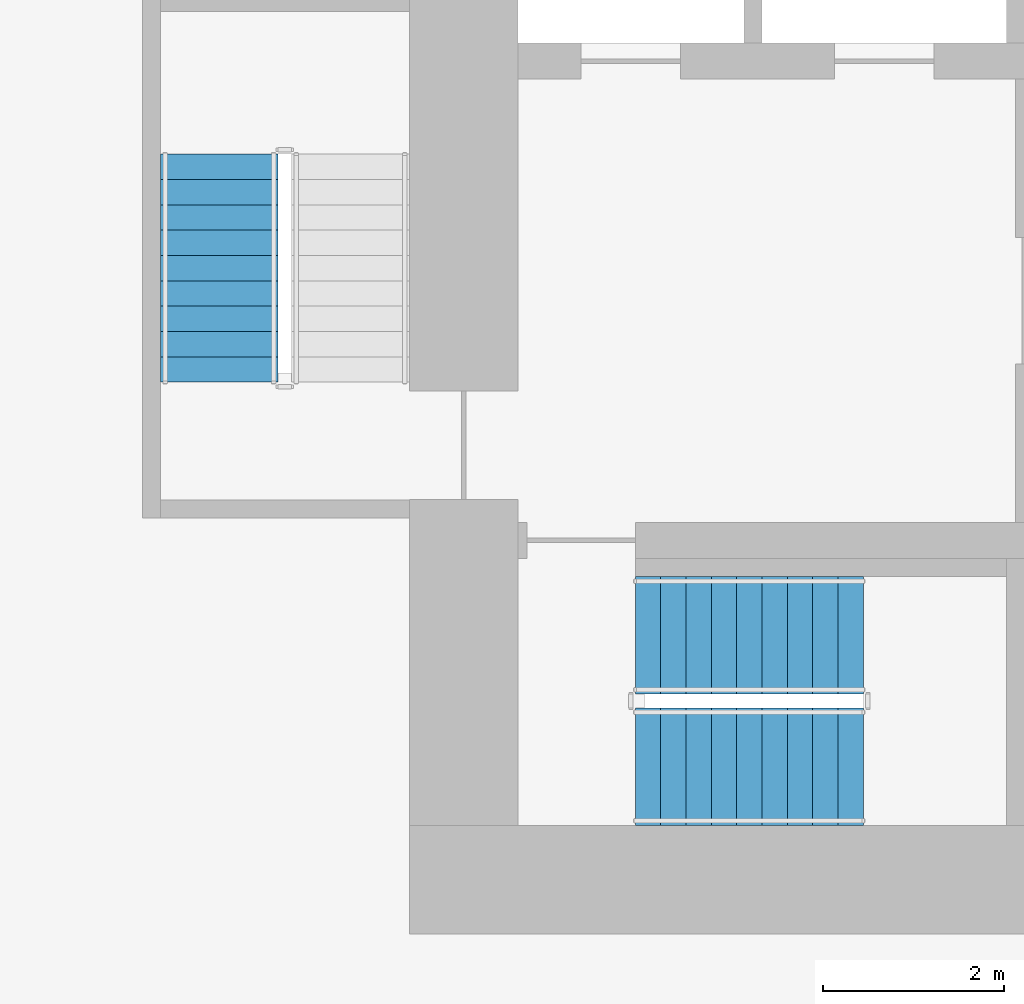
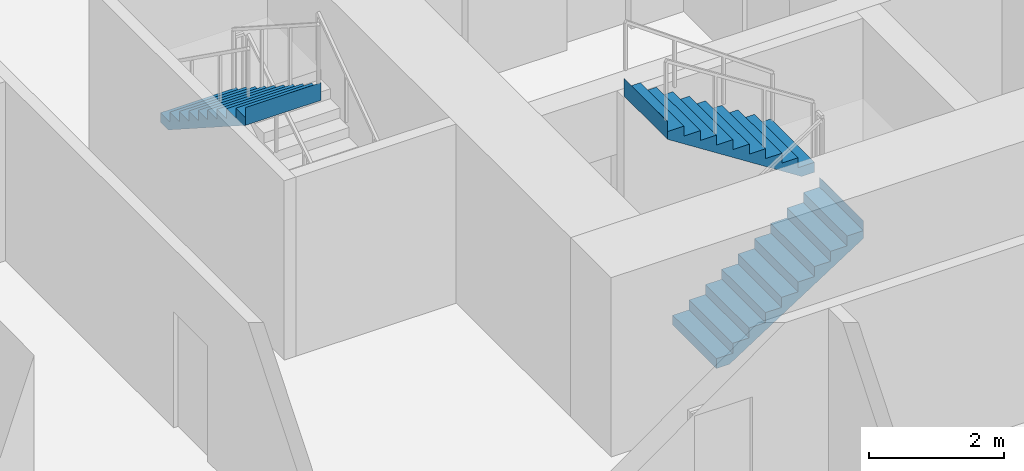
# One storey, part 18 of 25: 3 stair flights, 2 elements without a shape of their own.
"""IFC4 building model written with IfcOpenShell, lengths in metres."""

from ifc_helpers import new_model, si_unit, direction, frame, origin, place, context, subcontext, project, spatial, triangles, material, type_object, element, aggregate, save


model = new_model("IFC4")

# Units and contexts
model_context = context("Model", 3, precision=1e-05, world=origin(), true_north=direction((0.0, 1.0)))
body_context = subcontext(model_context, "Body", "Model", "MODEL_VIEW")
ifc_project = project(units=[si_unit("LENGTHUNIT", "METRE"), si_unit("AREAUNIT", "SQUARE_METRE"), si_unit("VOLUMEUNIT", "CUBIC_METRE"), si_unit("PLANEANGLEUNIT", "RADIAN"), si_unit("MASSUNIT", "GRAM", prefix="KILO")], contexts=[model_context])

# Site, building, storey
site_placement = place(None, origin())
site = spatial("IfcSite", under=ifc_project, at=site_placement, CompositionType="ELEMENT")
building_placement = place(site_placement, origin())
building = spatial("IfcBuilding", under=site, at=building_placement, Name="Beryl Residences", CompositionType="ELEMENT")
storey_placement = place(building_placement, frame((0.0, 0.0, 16.199951171875)))
storey = spatial("IfcBuildingStorey", under=building, at=storey_placement, Name="L04", CompositionType="ELEMENT", Elevation=16.199951171875)

# Stair, stair flights
ifc_material_1 = material(Name="Concrete C40/50", Category="concrete")
stair_type = type_object("IfcStairType", Name="ST1 protected exit stair, half-turn, 1300 mm flights", PredefinedType="HALF_TURN_STAIR", material=ifc_material_1)
stair_1_placement = place(storey_placement, origin())
stair_1 = element("IfcStair", 1, at=stair_1_placement, inside=storey, type_object=stair_type, Name="L04 PROTECTED EXIT STAIR ST-1", PredefinedType="HALF_TURN_STAIR")
ifc_material_2 = material(Name="Concrete C40/50", Category="concrete")
stair_flight_type = type_object("IfcStairFlightType", Name="SF1 stair flight 1300 mm", PredefinedType="STRAIGHT", material=ifc_material_2)
stair_flight_1_placement = place(storey_placement, frame((-10.800048828125, -17.14990234375, 0.0), z_axis=(0.0, 0.0, 1.0), x_axis=(1.0, 0.0, 0.0)))
stair_flight_1 = element("IfcStairFlight", 2, at=stair_flight_1_placement, type_object=stair_flight_type, Name="ST-1 flight 1", NumberOfRisers=10, NumberOfTreads=9, PredefinedType="STRAIGHT", RiserHeight=0.18, TreadLength=0.28, context=body_context, shape_type="Tessellation", body=[
    triangles([(0.0, -0.64990234375, 0.0), (0.0, -0.324951171875, 0.0), (0.0, 0.0, 0.0), (0.0, 0.324951171875, 0.0), (0.0, 0.64990234375, 0.0), (0.0, -0.64990234375, 0.179931640625), (0.0, -0.324951171875, 0.179931640625), (0.0, 0.0, 0.179931640625), (0.0, 0.324951171875, 0.179931640625), (0.0, 0.64990234375, 0.179931640625), (0.280029296875, -0.64990234375, 0.179931640625), (0.280029296875, -0.324951171875, 0.179931640625), (0.280029296875, 0.0, 0.179931640625), (0.280029296875, 0.324951171875, 0.179931640625), (0.280029296875, 0.64990234375, 0.179931640625), (0.280029296875, -0.64990234375, 0.360107421875), (0.280029296875, -0.324951171875, 0.360107421875), (0.280029296875, 0.0, 0.360107421875), (0.280029296875, 0.324951171875, 0.360107421875), (0.280029296875, 0.64990234375, 0.360107421875), (0.56005859375, -0.64990234375, 0.360107421875), (0.56005859375, -0.324951171875, 0.360107421875), (0.56005859375, 0.0, 0.360107421875), (0.56005859375, 0.324951171875, 0.360107421875), (0.56005859375, 0.64990234375, 0.360107421875), (0.56005859375, -0.64990234375, 0.5400390625), (0.56005859375, -0.324951171875, 0.5400390625), (0.56005859375, 0.0, 0.5400390625), (0.56005859375, 0.324951171875, 0.5400390625), (0.56005859375, 0.64990234375, 0.5400390625), (0.840087890625, -0.64990234375, 0.5400390625), (0.840087890625, -0.324951171875, 0.5400390625), (0.840087890625, 0.0, 0.5400390625), (0.840087890625, 0.324951171875, 0.5400390625), (0.840087890625, 0.64990234375, 0.5400390625), (0.840087890625, -0.64990234375, 0.719970703125), (0.840087890625, -0.324951171875, 0.719970703125), (0.840087890625, 0.0, 0.719970703125), (0.840087890625, 0.324951171875, 0.719970703125), (0.840087890625, 0.64990234375, 0.719970703125), (1.1201171875, -0.64990234375, 0.719970703125), (1.1201171875, -0.324951171875, 0.719970703125), (1.1201171875, 0.0, 0.719970703125), (1.1201171875, 0.324951171875, 0.719970703125), (1.1201171875, 0.64990234375, 0.719970703125), (1.1201171875, -0.64990234375, 0.89990234375), (1.1201171875, -0.324951171875, 0.89990234375), (1.1201171875, 0.0, 0.89990234375), (1.1201171875, 0.324951171875, 0.89990234375), (1.1201171875, 0.64990234375, 0.89990234375), (1.39990234375, -0.64990234375, 0.89990234375), (1.39990234375, -0.324951171875, 0.89990234375), (1.39990234375, 0.0, 0.89990234375), (1.39990234375, 0.324951171875, 0.89990234375), (1.39990234375, 0.64990234375, 0.89990234375), (1.39990234375, -0.64990234375, 1.080078125), (1.39990234375, -0.324951171875, 1.080078125), (1.39990234375, 0.0, 1.080078125), (1.39990234375, 0.324951171875, 1.080078125), (1.39990234375, 0.64990234375, 1.080078125), (1.679931640625, -0.64990234375, 1.080078125), (1.679931640625, -0.324951171875, 1.080078125), (1.679931640625, 0.0, 1.080078125), (1.679931640625, 0.324951171875, 1.080078125), (1.679931640625, 0.64990234375, 1.080078125), (1.679931640625, -0.64990234375, 1.260009765625), (1.679931640625, -0.324951171875, 1.260009765625), (1.679931640625, 0.0, 1.260009765625), (1.679931640625, 0.324951171875, 1.260009765625), (1.679931640625, 0.64990234375, 1.260009765625), (1.9599609375, -0.64990234375, 1.260009765625), (1.9599609375, -0.324951171875, 1.260009765625), (1.9599609375, 0.0, 1.260009765625), (1.9599609375, 0.324951171875, 1.260009765625), (1.9599609375, 0.64990234375, 1.260009765625), (1.9599609375, -0.64990234375, 1.43994140625), (1.9599609375, -0.324951171875, 1.43994140625), (1.9599609375, 0.0, 1.43994140625), (1.9599609375, 0.324951171875, 1.43994140625), (1.9599609375, 0.64990234375, 1.43994140625), (2.239990234375, -0.64990234375, 1.43994140625), (2.239990234375, -0.324951171875, 1.43994140625), (2.239990234375, 0.0, 1.43994140625), (2.239990234375, 0.324951171875, 1.43994140625), (2.239990234375, 0.64990234375, 1.43994140625), (2.239990234375, -0.64990234375, 1.6201171875), (2.239990234375, -0.324951171875, 1.6201171875), (2.239990234375, 0.0, 1.6201171875), (2.239990234375, 0.324951171875, 1.6201171875), (2.239990234375, 0.64990234375, 1.6201171875), (2.52001953125, -0.64990234375, 1.6201171875), (2.52001953125, -0.324951171875, 1.6201171875), (2.52001953125, 0.0, 1.6201171875), (2.52001953125, 0.324951171875, 1.6201171875), (2.52001953125, 0.64990234375, 1.6201171875), (2.52001953125, -0.64990234375, 1.800048828125), (2.52001953125, -0.324951171875, 1.800048828125), (2.52001953125, 0.0, 1.800048828125), (2.52001953125, 0.324951171875, 1.800048828125), (2.52001953125, 0.64990234375, 1.800048828125), (2.52099609375, -0.64990234375, 1.800048828125), (2.52099609375, -0.324951171875, 1.800048828125), (2.52099609375, 0.0, 1.800048828125), (2.52099609375, 0.324951171875, 1.800048828125), (2.52099609375, 0.64990234375, 1.800048828125), (2.52099609375, -0.64990234375, 1.477294921875), (2.52099609375, -0.324951171875, 1.477294921875), (2.52099609375, 0.0, 1.477294921875), (2.52099609375, 0.324951171875, 1.477294921875), (2.52099609375, 0.64990234375, 1.477294921875), (0.22314453125, -0.64990234375, 0.0), (0.22314453125, -0.324951171875, 0.0), (0.22314453125, 0.0, 0.0), (0.22314453125, 0.324951171875, 0.0), (0.22314453125, 0.64990234375, 0.0)], [[1, 6, 7], [1, 7, 2], [2, 7, 8], [2, 8, 3], [3, 8, 9], [3, 9, 4], [4, 9, 10], [4, 10, 5], [6, 11, 12], [6, 12, 7], [7, 12, 13], [7, 13, 8], [8, 13, 14], [8, 14, 9], [9, 14, 15], [9, 15, 10], [11, 16, 17], [11, 17, 12], [12, 17, 18], [12, 18, 13], [13, 18, 19], [13, 19, 14], [14, 19, 20], [14, 20, 15], [16, 21, 22], [16, 22, 17], [17, 22, 23], [17, 23, 18], [18, 23, 24], [18, 24, 19], [19, 24, 25], [19, 25, 20], [21, 26, 27], [21, 27, 22], [22, 27, 28], [22, 28, 23], [23, 28, 29], [23, 29, 24], [24, 29, 30], [24, 30, 25], [26, 31, 32], [26, 32, 27], [27, 32, 33], [27, 33, 28], [28, 33, 34], [28, 34, 29], [29, 34, 35], [29, 35, 30], [31, 36, 37], [31, 37, 32], [32, 37, 38], [32, 38, 33], [33, 38, 39], [33, 39, 34], [34, 39, 40], [34, 40, 35], [36, 41, 42], [36, 42, 37], [37, 42, 43], [37, 43, 38], [38, 43, 44], [38, 44, 39], [39, 44, 45], [39, 45, 40], [41, 46, 47], [41, 47, 42], [42, 47, 48], [42, 48, 43], [43, 48, 49], [43, 49, 44], [44, 49, 50], [44, 50, 45], [46, 51, 52], [46, 52, 47], [47, 52, 53], [47, 53, 48], [48, 53, 54], [48, 54, 49], [49, 54, 55], [49, 55, 50], [51, 56, 57], [51, 57, 52], [52, 57, 58], [52, 58, 53], [53, 58, 59], [53, 59, 54], [54, 59, 60], [54, 60, 55], [56, 61, 62], [56, 62, 57], [57, 62, 63], [57, 63, 58], [58, 63, 64], [58, 64, 59], [59, 64, 65], [59, 65, 60], [61, 66, 67], [61, 67, 62], [62, 67, 68], [62, 68, 63], [63, 68, 69], [63, 69, 64], [64, 69, 70], [64, 70, 65], [66, 71, 72], [66, 72, 67], [67, 72, 73], [67, 73, 68], [68, 73, 74], [68, 74, 69], [69, 74, 75], [69, 75, 70], [71, 76, 77], [71, 77, 72], [72, 77, 78], [72, 78, 73], [73, 78, 79], [73, 79, 74], [74, 79, 80], [74, 80, 75], [76, 81, 82], [76, 82, 77], [77, 82, 83], [77, 83, 78], [78, 83, 84], [78, 84, 79], [79, 84, 85], [79, 85, 80], [81, 86, 87], [81, 87, 82], [82, 87, 88], [82, 88, 83], [83, 88, 89], [83, 89, 84], [84, 89, 90], [84, 90, 85], [86, 91, 92], [86, 92, 87], [87, 92, 93], [87, 93, 88], [88, 93, 94], [88, 94, 89], [89, 94, 95], [89, 95, 90], [91, 96, 97], [91, 97, 92], [92, 97, 98], [92, 98, 93], [93, 98, 99], [93, 99, 94], [94, 99, 100], [94, 100, 95], [96, 101, 102], [96, 102, 97], [97, 102, 103], [97, 103, 98], [98, 103, 104], [98, 104, 99], [99, 104, 105], [99, 105, 100], [101, 106, 107], [101, 107, 102], [102, 107, 108], [102, 108, 103], [103, 108, 109], [103, 109, 104], [104, 109, 110], [104, 110, 105], [106, 111, 112], [106, 112, 107], [107, 112, 113], [107, 113, 108], [108, 113, 114], [108, 114, 109], [109, 114, 115], [109, 115, 110], [111, 1, 2], [111, 2, 112], [112, 2, 3], [112, 3, 113], [113, 3, 4], [113, 4, 114], [114, 4, 5], [114, 5, 115], [1, 111, 106], [5, 110, 115], [106, 101, 96], [110, 100, 105], [106, 96, 91], [110, 95, 100], [106, 91, 86], [110, 90, 95], [106, 86, 81], [110, 85, 90], [81, 76, 71], [85, 75, 80], [106, 81, 71], [110, 75, 85], [71, 66, 61], [75, 65, 70], [106, 71, 61], [110, 65, 75], [61, 56, 51], [65, 55, 60], [106, 61, 51], [110, 55, 65], [51, 46, 41], [55, 45, 50], [106, 51, 41], [110, 45, 55], [41, 36, 31], [45, 35, 40], [106, 41, 31], [110, 35, 45], [31, 26, 21], [35, 25, 30], [106, 31, 21], [110, 25, 35], [21, 16, 11], [25, 15, 20], [106, 21, 11], [110, 15, 25], [1, 106, 11], [5, 15, 110], [11, 6, 1], [15, 5, 10]], closed=True),
])
stair_flight_2_placement = place(storey_placement, frame((-8.280029296875, -15.699951171875, 1.800048828125), z_axis=(0.0, 0.0, 1.0), x_axis=(-1.0, 0.0, 0.0)))
stair_flight_2 = element("IfcStairFlight", 3, at=stair_flight_2_placement, type_object=stair_flight_type, Name="ST-1 flight 2", NumberOfRisers=10, NumberOfTreads=9, PredefinedType="STRAIGHT", RiserHeight=0.18, TreadLength=0.28, context=body_context, shape_type="Tessellation", body=[
    triangles([(0.0, -0.64990234375, 0.0), (0.0, -0.324951171875, 0.0), (0.0, 0.0, 0.0), (0.0, 0.324951171875, 0.0), (0.0, 0.64990234375, 0.0), (0.0, -0.64990234375, 0.179931640625), (0.0, -0.324951171875, 0.179931640625), (0.0, 0.0, 0.179931640625), (0.0, 0.324951171875, 0.179931640625), (0.0, 0.64990234375, 0.179931640625), (0.280029296875, -0.64990234375, 0.179931640625), (0.280029296875, -0.324951171875, 0.179931640625), (0.280029296875, 0.0, 0.179931640625), (0.280029296875, 0.324951171875, 0.179931640625), (0.280029296875, 0.64990234375, 0.179931640625), (0.280029296875, -0.64990234375, 0.360107421875), (0.280029296875, -0.324951171875, 0.360107421875), (0.280029296875, 0.0, 0.360107421875), (0.280029296875, 0.324951171875, 0.360107421875), (0.280029296875, 0.64990234375, 0.360107421875), (0.56005859375, -0.64990234375, 0.360107421875), (0.56005859375, -0.324951171875, 0.360107421875), (0.56005859375, 0.0, 0.360107421875), (0.56005859375, 0.324951171875, 0.360107421875), (0.56005859375, 0.64990234375, 0.360107421875), (0.56005859375, -0.64990234375, 0.5400390625), (0.56005859375, -0.324951171875, 0.5400390625), (0.56005859375, 0.0, 0.5400390625), (0.56005859375, 0.324951171875, 0.5400390625), (0.56005859375, 0.64990234375, 0.5400390625), (0.840087890625, -0.64990234375, 0.5400390625), (0.840087890625, -0.324951171875, 0.5400390625), (0.840087890625, 0.0, 0.5400390625), (0.840087890625, 0.324951171875, 0.5400390625), (0.840087890625, 0.64990234375, 0.5400390625), (0.840087890625, -0.64990234375, 0.719970703125), (0.840087890625, -0.324951171875, 0.719970703125), (0.840087890625, 0.0, 0.719970703125), (0.840087890625, 0.324951171875, 0.719970703125), (0.840087890625, 0.64990234375, 0.719970703125), (1.1201171875, -0.64990234375, 0.719970703125), (1.1201171875, -0.324951171875, 0.719970703125), (1.1201171875, 0.0, 0.719970703125), (1.1201171875, 0.324951171875, 0.719970703125), (1.1201171875, 0.64990234375, 0.719970703125), (1.1201171875, -0.64990234375, 0.89990234375), (1.1201171875, -0.324951171875, 0.89990234375), (1.1201171875, 0.0, 0.89990234375), (1.1201171875, 0.324951171875, 0.89990234375), (1.1201171875, 0.64990234375, 0.89990234375), (1.39990234375, -0.64990234375, 0.89990234375), (1.39990234375, -0.324951171875, 0.89990234375), (1.39990234375, 0.0, 0.89990234375), (1.39990234375, 0.324951171875, 0.89990234375), (1.39990234375, 0.64990234375, 0.89990234375), (1.39990234375, -0.64990234375, 1.080078125), (1.39990234375, -0.324951171875, 1.080078125), (1.39990234375, 0.0, 1.080078125), (1.39990234375, 0.324951171875, 1.080078125), (1.39990234375, 0.64990234375, 1.080078125), (1.679931640625, -0.64990234375, 1.080078125), (1.679931640625, -0.324951171875, 1.080078125), (1.679931640625, 0.0, 1.080078125), (1.679931640625, 0.324951171875, 1.080078125), (1.679931640625, 0.64990234375, 1.080078125), (1.679931640625, -0.64990234375, 1.260009765625), (1.679931640625, -0.324951171875, 1.260009765625), (1.679931640625, 0.0, 1.260009765625), (1.679931640625, 0.324951171875, 1.260009765625), (1.679931640625, 0.64990234375, 1.260009765625), (1.9599609375, -0.64990234375, 1.260009765625), (1.9599609375, -0.324951171875, 1.260009765625), (1.9599609375, 0.0, 1.260009765625), (1.9599609375, 0.324951171875, 1.260009765625), (1.9599609375, 0.64990234375, 1.260009765625), (1.9599609375, -0.64990234375, 1.43994140625), (1.9599609375, -0.324951171875, 1.43994140625), (1.9599609375, 0.0, 1.43994140625), (1.9599609375, 0.324951171875, 1.43994140625), (1.9599609375, 0.64990234375, 1.43994140625), (2.239990234375, -0.64990234375, 1.43994140625), (2.239990234375, -0.324951171875, 1.43994140625), (2.239990234375, 0.0, 1.43994140625), (2.239990234375, 0.324951171875, 1.43994140625), (2.239990234375, 0.64990234375, 1.43994140625), (2.239990234375, -0.64990234375, 1.6201171875), (2.239990234375, -0.324951171875, 1.6201171875), (2.239990234375, 0.0, 1.6201171875), (2.239990234375, 0.324951171875, 1.6201171875), (2.239990234375, 0.64990234375, 1.6201171875), (2.52001953125, -0.64990234375, 1.6201171875), (2.52001953125, -0.324951171875, 1.6201171875), (2.52001953125, 0.0, 1.6201171875), (2.52001953125, 0.324951171875, 1.6201171875), (2.52001953125, 0.64990234375, 1.6201171875), (2.52001953125, -0.64990234375, 1.800048828125), (2.52001953125, -0.324951171875, 1.800048828125), (2.52001953125, 0.0, 1.800048828125), (2.52001953125, 0.324951171875, 1.800048828125), (2.52001953125, 0.64990234375, 1.800048828125), (2.52099609375, -0.64990234375, 1.800048828125), (2.52099609375, -0.324951171875, 1.800048828125), (2.52099609375, 0.0, 1.800048828125), (2.52099609375, 0.324951171875, 1.800048828125), (2.52099609375, 0.64990234375, 1.800048828125), (2.52099609375, -0.64990234375, 1.477294921875), (2.52099609375, -0.324951171875, 1.477294921875), (2.52099609375, 0.0, 1.477294921875), (2.52099609375, 0.324951171875, 1.477294921875), (2.52099609375, 0.64990234375, 1.477294921875), (0.22314453125, -0.64990234375, 0.0), (0.22314453125, -0.324951171875, 0.0), (0.22314453125, 0.0, 0.0), (0.22314453125, 0.324951171875, 0.0), (0.22314453125, 0.64990234375, 0.0)], [[1, 6, 7], [1, 7, 2], [2, 7, 8], [2, 8, 3], [3, 8, 9], [3, 9, 4], [4, 9, 10], [4, 10, 5], [6, 11, 12], [6, 12, 7], [7, 12, 13], [7, 13, 8], [8, 13, 14], [8, 14, 9], [9, 14, 15], [9, 15, 10], [11, 16, 17], [11, 17, 12], [12, 17, 18], [12, 18, 13], [13, 18, 19], [13, 19, 14], [14, 19, 20], [14, 20, 15], [16, 21, 22], [16, 22, 17], [17, 22, 23], [17, 23, 18], [18, 23, 24], [18, 24, 19], [19, 24, 25], [19, 25, 20], [21, 26, 27], [21, 27, 22], [22, 27, 28], [22, 28, 23], [23, 28, 29], [23, 29, 24], [24, 29, 30], [24, 30, 25], [26, 31, 32], [26, 32, 27], [27, 32, 33], [27, 33, 28], [28, 33, 34], [28, 34, 29], [29, 34, 35], [29, 35, 30], [31, 36, 37], [31, 37, 32], [32, 37, 38], [32, 38, 33], [33, 38, 39], [33, 39, 34], [34, 39, 40], [34, 40, 35], [36, 41, 42], [36, 42, 37], [37, 42, 43], [37, 43, 38], [38, 43, 44], [38, 44, 39], [39, 44, 45], [39, 45, 40], [41, 46, 47], [41, 47, 42], [42, 47, 48], [42, 48, 43], [43, 48, 49], [43, 49, 44], [44, 49, 50], [44, 50, 45], [46, 51, 52], [46, 52, 47], [47, 52, 53], [47, 53, 48], [48, 53, 54], [48, 54, 49], [49, 54, 55], [49, 55, 50], [51, 56, 57], [51, 57, 52], [52, 57, 58], [52, 58, 53], [53, 58, 59], [53, 59, 54], [54, 59, 60], [54, 60, 55], [56, 61, 62], [56, 62, 57], [57, 62, 63], [57, 63, 58], [58, 63, 64], [58, 64, 59], [59, 64, 65], [59, 65, 60], [61, 66, 67], [61, 67, 62], [62, 67, 68], [62, 68, 63], [63, 68, 69], [63, 69, 64], [64, 69, 70], [64, 70, 65], [66, 71, 72], [66, 72, 67], [67, 72, 73], [67, 73, 68], [68, 73, 74], [68, 74, 69], [69, 74, 75], [69, 75, 70], [71, 76, 77], [71, 77, 72], [72, 77, 78], [72, 78, 73], [73, 78, 79], [73, 79, 74], [74, 79, 80], [74, 80, 75], [76, 81, 82], [76, 82, 77], [77, 82, 83], [77, 83, 78], [78, 83, 84], [78, 84, 79], [79, 84, 85], [79, 85, 80], [81, 86, 87], [81, 87, 82], [82, 87, 88], [82, 88, 83], [83, 88, 89], [83, 89, 84], [84, 89, 90], [84, 90, 85], [86, 91, 92], [86, 92, 87], [87, 92, 93], [87, 93, 88], [88, 93, 94], [88, 94, 89], [89, 94, 95], [89, 95, 90], [91, 96, 97], [91, 97, 92], [92, 97, 98], [92, 98, 93], [93, 98, 99], [93, 99, 94], [94, 99, 100], [94, 100, 95], [96, 101, 102], [96, 102, 97], [97, 102, 103], [97, 103, 98], [98, 103, 104], [98, 104, 99], [99, 104, 105], [99, 105, 100], [101, 106, 107], [101, 107, 102], [102, 107, 108], [102, 108, 103], [103, 108, 109], [103, 109, 104], [104, 109, 110], [104, 110, 105], [106, 111, 112], [106, 112, 107], [107, 112, 113], [107, 113, 108], [108, 113, 114], [108, 114, 109], [109, 114, 115], [109, 115, 110], [111, 1, 2], [111, 2, 112], [112, 2, 3], [112, 3, 113], [113, 3, 4], [113, 4, 114], [114, 4, 5], [114, 5, 115], [1, 111, 106], [5, 110, 115], [106, 101, 96], [110, 100, 105], [106, 96, 91], [110, 95, 100], [106, 91, 86], [110, 90, 95], [106, 86, 81], [110, 85, 90], [81, 76, 71], [85, 75, 80], [106, 81, 71], [110, 75, 85], [71, 66, 61], [75, 65, 70], [106, 71, 61], [110, 65, 75], [61, 56, 51], [65, 55, 60], [106, 61, 51], [110, 55, 65], [51, 46, 41], [55, 45, 50], [106, 51, 41], [110, 45, 55], [41, 36, 31], [45, 35, 40], [106, 41, 31], [110, 35, 45], [31, 26, 21], [35, 25, 30], [106, 31, 21], [110, 25, 35], [21, 16, 11], [25, 15, 20], [106, 21, 11], [110, 15, 25], [1, 106, 11], [5, 15, 110], [11, 6, 1], [15, 5, 10]], closed=True),
])
aggregate(stair_1, [stair_flight_1, stair_flight_2])

# Stair, stair flight
stair_2_placement = place(storey_placement, origin())
stair_2 = element("IfcStair", 4, at=stair_2_placement, inside=storey, type_object=stair_type, Name="L04 PROTECTED EXIT STAIR ST-2", PredefinedType="HALF_TURN_STAIR")
stair_flight_3_placement = place(storey_placement, frame((-15.39990234375, -10.3798828125, 1.800048828125), z_axis=(0.0, 0.0, 1.0), x_axis=(0.0, -1.0, 0.0)))
stair_flight_3 = element("IfcStairFlight", 5, at=stair_flight_3_placement, type_object=stair_flight_type, Name="ST-2 flight 2", NumberOfRisers=10, NumberOfTreads=9, PredefinedType="STRAIGHT", RiserHeight=0.18, TreadLength=0.28, context=body_context, shape_type="Tessellation", body=[
    triangles([(0.0, -0.64990234375, 0.0), (0.0, -0.324951171875, 0.0), (0.0, 0.0, 0.0), (0.0, 0.324951171875, 0.0), (0.0, 0.64990234375, 0.0), (0.0, -0.64990234375, 0.179931640625), (0.0, -0.324951171875, 0.179931640625), (0.0, 0.0, 0.179931640625), (0.0, 0.324951171875, 0.179931640625), (0.0, 0.64990234375, 0.179931640625), (0.280029296875, -0.64990234375, 0.179931640625), (0.280029296875, -0.324951171875, 0.179931640625), (0.280029296875, 0.0, 0.179931640625), (0.280029296875, 0.324951171875, 0.179931640625), (0.280029296875, 0.64990234375, 0.179931640625), (0.280029296875, -0.64990234375, 0.360107421875), (0.280029296875, -0.324951171875, 0.360107421875), (0.280029296875, 0.0, 0.360107421875), (0.280029296875, 0.324951171875, 0.360107421875), (0.280029296875, 0.64990234375, 0.360107421875), (0.56005859375, -0.64990234375, 0.360107421875), (0.56005859375, -0.324951171875, 0.360107421875), (0.56005859375, 0.0, 0.360107421875), (0.56005859375, 0.324951171875, 0.360107421875), (0.56005859375, 0.64990234375, 0.360107421875), (0.56005859375, -0.64990234375, 0.5400390625), (0.56005859375, -0.324951171875, 0.5400390625), (0.56005859375, 0.0, 0.5400390625), (0.56005859375, 0.324951171875, 0.5400390625), (0.56005859375, 0.64990234375, 0.5400390625), (0.840087890625, -0.64990234375, 0.5400390625), (0.840087890625, -0.324951171875, 0.5400390625), (0.840087890625, 0.0, 0.5400390625), (0.840087890625, 0.324951171875, 0.5400390625), (0.840087890625, 0.64990234375, 0.5400390625), (0.840087890625, -0.64990234375, 0.719970703125), (0.840087890625, -0.324951171875, 0.719970703125), (0.840087890625, 0.0, 0.719970703125), (0.840087890625, 0.324951171875, 0.719970703125), (0.840087890625, 0.64990234375, 0.719970703125), (1.1201171875, -0.64990234375, 0.719970703125), (1.1201171875, -0.324951171875, 0.719970703125), (1.1201171875, 0.0, 0.719970703125), (1.1201171875, 0.324951171875, 0.719970703125), (1.1201171875, 0.64990234375, 0.719970703125), (1.1201171875, -0.64990234375, 0.89990234375), (1.1201171875, -0.324951171875, 0.89990234375), (1.1201171875, 0.0, 0.89990234375), (1.1201171875, 0.324951171875, 0.89990234375), (1.1201171875, 0.64990234375, 0.89990234375), (1.39990234375, -0.64990234375, 0.89990234375), (1.39990234375, -0.324951171875, 0.89990234375), (1.39990234375, 0.0, 0.89990234375), (1.39990234375, 0.324951171875, 0.89990234375), (1.39990234375, 0.64990234375, 0.89990234375), (1.39990234375, -0.64990234375, 1.080078125), (1.39990234375, -0.324951171875, 1.080078125), (1.39990234375, 0.0, 1.080078125), (1.39990234375, 0.324951171875, 1.080078125), (1.39990234375, 0.64990234375, 1.080078125), (1.679931640625, -0.64990234375, 1.080078125), (1.679931640625, -0.324951171875, 1.080078125), (1.679931640625, 0.0, 1.080078125), (1.679931640625, 0.324951171875, 1.080078125), (1.679931640625, 0.64990234375, 1.080078125), (1.679931640625, -0.64990234375, 1.260009765625), (1.679931640625, -0.324951171875, 1.260009765625), (1.679931640625, 0.0, 1.260009765625), (1.679931640625, 0.324951171875, 1.260009765625), (1.679931640625, 0.64990234375, 1.260009765625), (1.9599609375, -0.64990234375, 1.260009765625), (1.9599609375, -0.324951171875, 1.260009765625), (1.9599609375, 0.0, 1.260009765625), (1.9599609375, 0.324951171875, 1.260009765625), (1.9599609375, 0.64990234375, 1.260009765625), (1.9599609375, -0.64990234375, 1.43994140625), (1.9599609375, -0.324951171875, 1.43994140625), (1.9599609375, 0.0, 1.43994140625), (1.9599609375, 0.324951171875, 1.43994140625), (1.9599609375, 0.64990234375, 1.43994140625), (2.239990234375, -0.64990234375, 1.43994140625), (2.239990234375, -0.324951171875, 1.43994140625), (2.239990234375, 0.0, 1.43994140625), (2.239990234375, 0.324951171875, 1.43994140625), (2.239990234375, 0.64990234375, 1.43994140625), (2.239990234375, -0.64990234375, 1.6201171875), (2.239990234375, -0.324951171875, 1.6201171875), (2.239990234375, 0.0, 1.6201171875), (2.239990234375, 0.324951171875, 1.6201171875), (2.239990234375, 0.64990234375, 1.6201171875), (2.52001953125, -0.64990234375, 1.6201171875), (2.52001953125, -0.324951171875, 1.6201171875), (2.52001953125, 0.0, 1.6201171875), (2.52001953125, 0.324951171875, 1.6201171875), (2.52001953125, 0.64990234375, 1.6201171875), (2.52001953125, -0.64990234375, 1.800048828125), (2.52001953125, -0.324951171875, 1.800048828125), (2.52001953125, 0.0, 1.800048828125), (2.52001953125, 0.324951171875, 1.800048828125), (2.52001953125, 0.64990234375, 1.800048828125), (2.52099609375, -0.64990234375, 1.800048828125), (2.52099609375, -0.324951171875, 1.800048828125), (2.52099609375, 0.0, 1.800048828125), (2.52099609375, 0.324951171875, 1.800048828125), (2.52099609375, 0.64990234375, 1.800048828125), (2.52099609375, -0.64990234375, 1.477294921875), (2.52099609375, -0.324951171875, 1.477294921875), (2.52099609375, 0.0, 1.477294921875), (2.52099609375, 0.324951171875, 1.477294921875), (2.52099609375, 0.64990234375, 1.477294921875), (0.22314453125, -0.64990234375, 0.0), (0.22314453125, -0.324951171875, 0.0), (0.22314453125, 0.0, 0.0), (0.22314453125, 0.324951171875, 0.0), (0.22314453125, 0.64990234375, 0.0)], [[1, 6, 7], [1, 7, 2], [2, 7, 8], [2, 8, 3], [3, 8, 9], [3, 9, 4], [4, 9, 10], [4, 10, 5], [6, 11, 12], [6, 12, 7], [7, 12, 13], [7, 13, 8], [8, 13, 14], [8, 14, 9], [9, 14, 15], [9, 15, 10], [11, 16, 17], [11, 17, 12], [12, 17, 18], [12, 18, 13], [13, 18, 19], [13, 19, 14], [14, 19, 20], [14, 20, 15], [16, 21, 22], [16, 22, 17], [17, 22, 23], [17, 23, 18], [18, 23, 24], [18, 24, 19], [19, 24, 25], [19, 25, 20], [21, 26, 27], [21, 27, 22], [22, 27, 28], [22, 28, 23], [23, 28, 29], [23, 29, 24], [24, 29, 30], [24, 30, 25], [26, 31, 32], [26, 32, 27], [27, 32, 33], [27, 33, 28], [28, 33, 34], [28, 34, 29], [29, 34, 35], [29, 35, 30], [31, 36, 37], [31, 37, 32], [32, 37, 38], [32, 38, 33], [33, 38, 39], [33, 39, 34], [34, 39, 40], [34, 40, 35], [36, 41, 42], [36, 42, 37], [37, 42, 43], [37, 43, 38], [38, 43, 44], [38, 44, 39], [39, 44, 45], [39, 45, 40], [41, 46, 47], [41, 47, 42], [42, 47, 48], [42, 48, 43], [43, 48, 49], [43, 49, 44], [44, 49, 50], [44, 50, 45], [46, 51, 52], [46, 52, 47], [47, 52, 53], [47, 53, 48], [48, 53, 54], [48, 54, 49], [49, 54, 55], [49, 55, 50], [51, 56, 57], [51, 57, 52], [52, 57, 58], [52, 58, 53], [53, 58, 59], [53, 59, 54], [54, 59, 60], [54, 60, 55], [56, 61, 62], [56, 62, 57], [57, 62, 63], [57, 63, 58], [58, 63, 64], [58, 64, 59], [59, 64, 65], [59, 65, 60], [61, 66, 67], [61, 67, 62], [62, 67, 68], [62, 68, 63], [63, 68, 69], [63, 69, 64], [64, 69, 70], [64, 70, 65], [66, 71, 72], [66, 72, 67], [67, 72, 73], [67, 73, 68], [68, 73, 74], [68, 74, 69], [69, 74, 75], [69, 75, 70], [71, 76, 77], [71, 77, 72], [72, 77, 78], [72, 78, 73], [73, 78, 79], [73, 79, 74], [74, 79, 80], [74, 80, 75], [76, 81, 82], [76, 82, 77], [77, 82, 83], [77, 83, 78], [78, 83, 84], [78, 84, 79], [79, 84, 85], [79, 85, 80], [81, 86, 87], [81, 87, 82], [82, 87, 88], [82, 88, 83], [83, 88, 89], [83, 89, 84], [84, 89, 90], [84, 90, 85], [86, 91, 92], [86, 92, 87], [87, 92, 93], [87, 93, 88], [88, 93, 94], [88, 94, 89], [89, 94, 95], [89, 95, 90], [91, 96, 97], [91, 97, 92], [92, 97, 98], [92, 98, 93], [93, 98, 99], [93, 99, 94], [94, 99, 100], [94, 100, 95], [96, 101, 102], [96, 102, 97], [97, 102, 103], [97, 103, 98], [98, 103, 104], [98, 104, 99], [99, 104, 105], [99, 105, 100], [101, 106, 107], [101, 107, 102], [102, 107, 108], [102, 108, 103], [103, 108, 109], [103, 109, 104], [104, 109, 110], [104, 110, 105], [106, 111, 112], [106, 112, 107], [107, 112, 113], [107, 113, 108], [108, 113, 114], [108, 114, 109], [109, 114, 115], [109, 115, 110], [111, 1, 2], [111, 2, 112], [112, 2, 3], [112, 3, 113], [113, 3, 4], [113, 4, 114], [114, 4, 5], [114, 5, 115], [1, 111, 106], [5, 110, 115], [106, 101, 96], [110, 100, 105], [106, 96, 91], [110, 95, 100], [106, 91, 86], [110, 90, 95], [106, 86, 81], [110, 85, 90], [81, 76, 71], [85, 75, 80], [106, 81, 71], [110, 75, 85], [71, 66, 61], [75, 65, 70], [106, 71, 61], [110, 65, 75], [61, 56, 51], [65, 55, 60], [106, 61, 51], [110, 55, 65], [51, 46, 41], [55, 45, 50], [106, 51, 41], [110, 45, 55], [41, 36, 31], [45, 35, 40], [106, 41, 31], [110, 35, 45], [31, 26, 21], [35, 25, 30], [106, 31, 21], [110, 25, 35], [21, 16, 11], [25, 15, 20], [106, 21, 11], [110, 15, 25], [1, 106, 11], [5, 15, 110], [11, 6, 1], [15, 5, 10]], closed=True),
])
aggregate(stair_2, [stair_flight_3])

save(model, "model.ifc")
